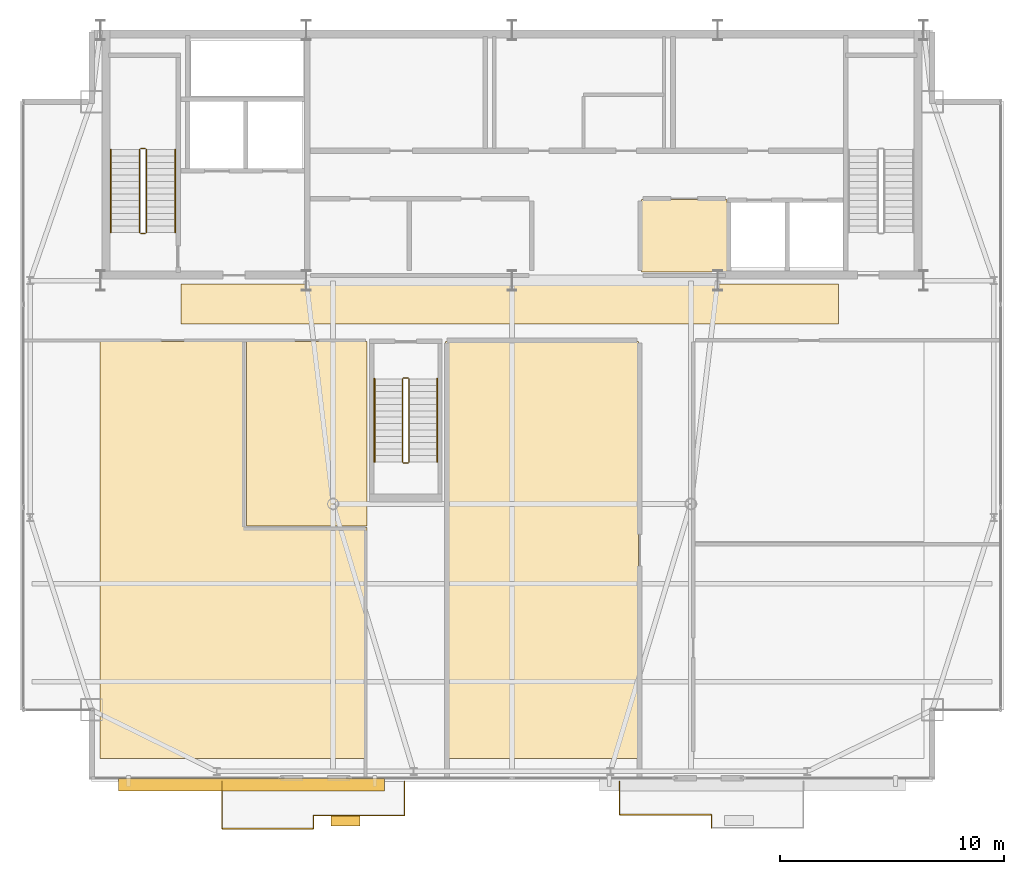
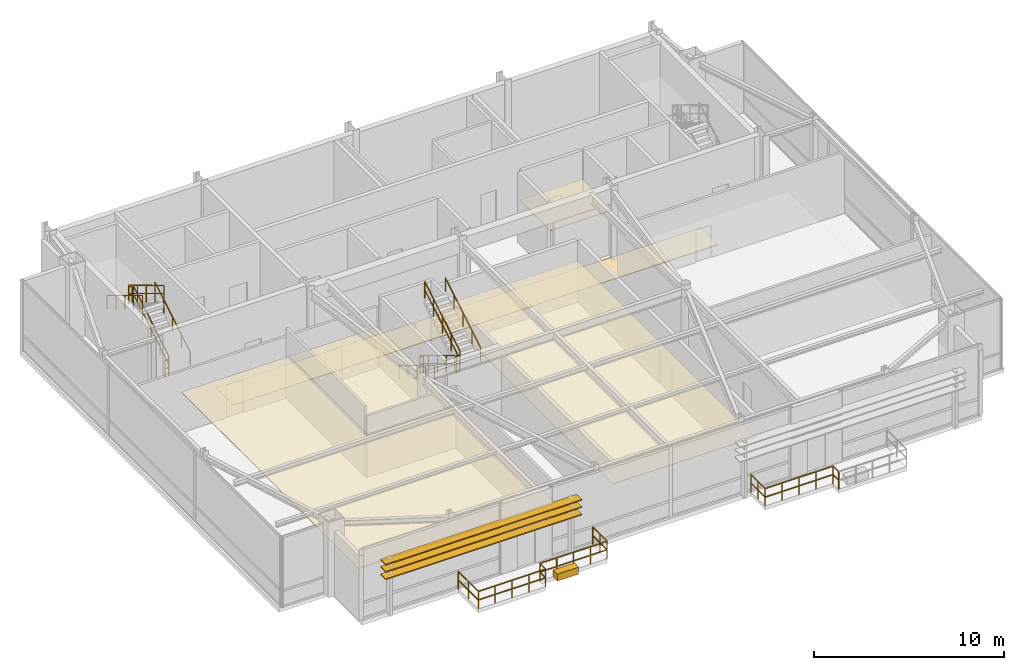
# One storey, part 21 of 22: 20 railings, 6 coverings, 3 shading devices.
"""IFC4 building model written with IfcOpenShell, lengths in metres."""

import ifcopenshell
import ifcopenshell.guid

model = None  # the IFC model being written
_history = None  # IfcOwnerHistory: only IFC2X3 demands one
_inside = {}  # id of a spatial element -> (the spatial element, [elements in it])
_under = {}  # id of a project, library or spatial element -> (it, [spatial elements below it])
_declared = {}  # id of a project -> (the project, [libraries it declares])
_typed = {}  # id of a type object -> (the type object, [elements of that type])
_made_of = {}  # id of a material, layer set ... -> (it, [elements and type objects made of it])


def new_model(schema):
    """Start an empty IFC model of exactly this schema.

    Asked for "IFC4X3", IfcOpenShell would pick the latest addendum, in which some entities
    have other attributes; the version numbers below select the first issue.
    IFC2X3 requires an IfcOwnerHistory on every rooted entity: one is made here for all.
    """
    global model, _history
    if schema == "IFC4X3":
        model = ifcopenshell.file(schema_version=(4, 3, 0, 0))
    else:
        model = ifcopenshell.file(schema=schema)
    _inside.clear()
    _under.clear()
    _declared.clear()
    _typed.clear()
    _made_of.clear()
    _history = None
    if model.schema == "IFC2X3":
        org = make("IfcOrganization", Name="unknown")
        user = make(
            "IfcPersonAndOrganization",
            ThePerson=make("IfcPerson", FamilyName="unknown"),
            TheOrganization=org,
        )
        app = make(
            "IfcApplication",
            ApplicationDeveloper=org,
            Version="unknown",
            ApplicationFullName="unknown",
            ApplicationIdentifier="unknown",
        )
        _history = make(
            "IfcOwnerHistory",
            OwningUser=user,
            OwningApplication=app,
            ChangeAction="ADDED",
            CreationDate=0,
        )
    return model


def make(cls, **values):
    """One entity of the class cls with the attributes given. An attribute that is None is left unset."""
    return model.create_entity(
        cls, **{name: value for name, value in values.items() if value is not None}
    )


def rooted(cls, **values):
    """An entity with a GlobalId (a new one), such as an element, a storey or a relation."""
    return make(cls, GlobalId=ifcopenshell.guid.new(), OwnerHistory=_history, **values)


def si_unit(unit_type, name, prefix=None):
    """IfcSIUnit, for example si_unit("LENGTHUNIT", "METRE", prefix="MILLI")."""
    return make("IfcSIUnit", UnitType=unit_type, Prefix=prefix, Name=name)


def assignment(units):
    """IfcUnitAssignment: the units of a project."""
    return None if units is None else make("IfcUnitAssignment", Units=units)


def point(xyz):
    """IfcCartesianPoint."""
    return None if xyz is None else make("IfcCartesianPoint", Coordinates=xyz)


def direction(xyz):
    """IfcDirection."""
    return None if xyz is None else make("IfcDirection", DirectionRatios=xyz)


def frame(location, z_axis=None, x_axis=None):
    """IfcAxis2Placement3D, a coordinate frame: its origin and axes. An axis left out is left unset."""
    return make(
        "IfcAxis2Placement3D",
        Location=point(location),
        Axis=direction(z_axis),
        RefDirection=direction(x_axis),
    )


def frame_2d(location, x_axis=None):
    """IfcAxis2Placement2D, a coordinate frame in the plane: its origin and x axis."""
    return make(
        "IfcAxis2Placement2D", Location=point(location), RefDirection=direction(x_axis)
    )


def origin():
    """The frame at (0, 0, 0) with its axes left unset."""
    return frame((0.0, 0.0, 0.0))


def origin_2d():
    """The frame at (0, 0) in the plane with its x axis left unset."""
    return frame_2d((0.0, 0.0))


def place(relative_to, where):
    """IfcLocalPlacement: puts the frame where relative to a parent placement (None: the world)."""
    return make(
        "IfcLocalPlacement", PlacementRelTo=relative_to, RelativePlacement=where
    )


def context(
    kind, dimensions, precision=None, world=None, true_north=None, identifier=None
):
    """IfcGeometricRepresentationContext, for example the 3D "Model" context."""
    return make(
        "IfcGeometricRepresentationContext",
        ContextIdentifier=identifier,
        ContextType=kind,
        CoordinateSpaceDimension=dimensions,
        Precision=precision,
        WorldCoordinateSystem=world,
        TrueNorth=true_north,
    )


def subcontext(parent, identifier, kind, view, scale=None):
    """IfcGeometricRepresentationSubContext, for example "Body" below "Model"."""
    return make(
        "IfcGeometricRepresentationSubContext",
        ContextIdentifier=identifier,
        ContextType=kind,
        ParentContext=parent,
        TargetScale=scale,
        TargetView=view,
    )


def project(units=None, contexts=None):
    """IfcProject with its units and contexts."""
    return rooted(
        "IfcProject",
        Name="project",
        RepresentationContexts=contexts,
        UnitsInContext=assignment(units),
    )


def spatial(cls, under=None, at=None, **own):
    """A site, building, storey or space (cls), placed at a placement, below another one or the project."""
    s = rooted(cls, ObjectPlacement=at, **own)
    if under is not None:
        _under.setdefault(under.id(), (under, []))[1].append(s)
    return s


def polyline(points):
    """IfcPolyline through the points."""
    return make("IfcPolyline", Points=[point(p) for p in points])


def profile(cls, at=None, kind="AREA", **sizes):
    """A parametric profile (cls). Its sizes go by their IFC names, for example OverallWidth=200.0."""
    return make(cls, ProfileType=kind, Position=at, **sizes)


def rectangle(**sizes):
    """IfcRectangleProfileDef."""
    return profile("IfcRectangleProfileDef", **sizes)


def outline(outer, holes=None, kind="AREA"):
    """IfcArbitraryClosedProfileDef: a profile drawn as a closed curve; with holes, ...WithVoids."""
    if holes is None:
        return make("IfcArbitraryClosedProfileDef", ProfileType=kind, OuterCurve=outer)
    return make(
        "IfcArbitraryProfileDefWithVoids",
        ProfileType=kind,
        OuterCurve=outer,
        InnerCurves=holes,
    )


def extrude(swept, where, along, depth):
    """IfcExtrudedAreaSolid: the profile swept, set in the frame where, extruded along a direction by depth."""
    return make(
        "IfcExtrudedAreaSolid",
        SweptArea=swept,
        Position=where,
        ExtrudedDirection=direction(along),
        Depth=depth,
    )


def shape(context_of_items, identifier, shape_type, items):
    """IfcShapeRepresentation: the items that make up one representation, for example the "Body"."""
    return make(
        "IfcShapeRepresentation",
        ContextOfItems=context_of_items,
        RepresentationIdentifier=identifier,
        RepresentationType=shape_type,
        Items=items,
    )


def source(mapping_origin, context_of_items, identifier, shape_type, items):
    """IfcRepresentationMap: a shape defined once, which mapped items show again and again."""
    return make(
        "IfcRepresentationMap",
        MappingOrigin=mapping_origin,
        MappedRepresentation=shape(context_of_items, identifier, shape_type, items),
    )


def transform(
    local_origin,
    x_axis=None,
    y_axis=None,
    z_axis=None,
    scale=None,
    scale2=None,
    scale3=None,
    uniform=True,
):
    """IfcCartesianTransformationOperator3D, or its non-uniform kind. x_axis, y_axis, z_axis: its Axis1, 2, 3."""
    if uniform:
        return make(
            "IfcCartesianTransformationOperator3D",
            Axis1=direction(x_axis),
            Axis2=direction(y_axis),
            LocalOrigin=point(local_origin),
            Scale=scale,
            Axis3=direction(z_axis),
        )
    return make(
        "IfcCartesianTransformationOperator3DnonUniform",
        Axis1=direction(x_axis),
        Axis2=direction(y_axis),
        LocalOrigin=point(local_origin),
        Scale=scale,
        Axis3=direction(z_axis),
        Scale2=scale2,
        Scale3=scale3,
    )


def mapped(mapping_source, mapping_target):
    """IfcMappedItem: shows the shape of a source again, moved by a transform."""
    return make(
        "IfcMappedItem", MappingSource=mapping_source, MappingTarget=mapping_target
    )


def material(Name=None, Category=None):
    """IfcMaterial."""
    return make("IfcMaterial", Name=Name, Category=Category)


def layer(
    of_material, thickness, ventilated=None, Name=None, Category=None, Priority=None
):
    """IfcMaterialLayer: one layer of a wall or slab, of a material (None: an air gap)."""
    return make(
        "IfcMaterialLayer",
        Material=of_material,
        LayerThickness=thickness,
        IsVentilated=ventilated,
        Name=Name,
        Category=Category,
        Priority=Priority,
    )


def layer_set(layers, Name=None):
    """IfcMaterialLayerSet."""
    return make("IfcMaterialLayerSet", MaterialLayers=layers, LayerSetName=Name)


def made_of(thing, what):
    """Note that an element or type object is made of a material, layer set ...; save() writes the relation."""
    if what is not None:
        _made_of.setdefault(what.id(), (what, []))[1].append(thing)
    return thing


def type_object(cls, material=None, **own):
    """A type object (cls), such as IfcWallType, which elements share."""
    return made_of(rooted(cls, **own), material)


def type_shapes(of_type, sources):
    """Give a type object the sources (RepresentationMaps) that its elements show as mapped items."""
    of_type.RepresentationMaps = sources


def element(
    cls,
    number,
    at=None,
    inside=None,
    cuts=None,
    type_object=None,
    material=None,
    context=None,
    identifier="Body",
    shape_type=None,
    held_by="IfcProductDefinitionShape",
    body=None,
    shapes=None,
    **own,
):
    """One element of the class cls, such as IfcWall. Its Tag is "e" and its number.

    at: its placement. inside: the storey or other place that contains it. cuts: it is an
    opening in that element (IfcRelVoidsElement). A single representation is given by context,
    identifier, shape_type and body (its items); several are given by shapes. held_by: the class
    of the entity that holds the representations. save() writes the other relations.
    """
    e = rooted(cls, Tag="e%d" % number, ObjectPlacement=at, **own)
    if body is not None:
        shapes = [shape(context, identifier, shape_type, body)]
    if shapes is not None:
        e.Representation = make(held_by, Representations=shapes)
    if inside is not None:
        _inside.setdefault(inside.id(), (inside, []))[1].append(e)
    if cuts is not None:
        rooted(
            "IfcRelVoidsElement", RelatingBuildingElement=cuts, RelatedOpeningElement=e
        )
    if type_object is not None:
        _typed.setdefault(type_object.id(), (type_object, []))[1].append(e)
    return made_of(e, material)


def aggregate(whole, parts):
    """IfcRelAggregates: a whole, such as a stair, and the parts it consists of."""
    return rooted("IfcRelAggregates", RelatingObject=whole, RelatedObjects=parts)


def save(model, path):
    """Write the relations noted so far, then the file.

    IfcRelAggregates (storeys below a building ...), IfcRelContainedInSpatialStructure (elements
    in a storey), IfcRelDefinesByType, IfcRelAssociatesMaterial and IfcRelDeclares: one each for
    every whole, place, type object, material and project.
    """
    for whole, parts in _under.values():
        aggregate(whole, parts)
    for where, things in _inside.values():
        rooted(
            "IfcRelContainedInSpatialStructure",
            RelatedElements=things,
            RelatingStructure=where,
        )
    for kind, things in _typed.values():
        rooted("IfcRelDefinesByType", RelatedObjects=things, RelatingType=kind)
    for what, things in _made_of.values():
        rooted("IfcRelAssociatesMaterial", RelatedObjects=things, RelatingMaterial=what)
    for by, libraries in _declared.values():
        rooted("IfcRelDeclares", RelatingContext=by, RelatedDefinitions=libraries)
    model.write(path)


model = new_model("IFC4")

# Units and contexts
model_context = context("Model", 3, precision=1e-05, world=origin(), true_north=direction((0.0, 1.0)))
body_context = subcontext(model_context, "Body", "Model", "MODEL_VIEW")
ifc_project = project(units=[si_unit("LENGTHUNIT", "METRE"), si_unit("AREAUNIT", "SQUARE_METRE"), si_unit("VOLUMEUNIT", "CUBIC_METRE"), si_unit("PLANEANGLEUNIT", "RADIAN"), si_unit("MASSUNIT", "GRAM", prefix="KILO")], contexts=[model_context])

# Site, building, storey
site_placement = place(None, origin())
site = spatial("IfcSite", under=ifc_project, at=site_placement, CompositionType="ELEMENT")
building_placement = place(site_placement, origin())
building = spatial("IfcBuilding", under=site, at=building_placement, Name="Varnel Quay Broadcast Tower", CompositionType="ELEMENT")
storey_placement = place(building_placement, frame((0.0, 0.0, 305.0)))
storey = spatial("IfcBuildingStorey", under=building, at=storey_placement, Name="L76", CompositionType="ELEMENT", Elevation=305.0)

# Coverings
ifc_material_1 = material(Name="Micro-Perforated Acoustic Ceiling Tile")
ifc_layer_1 = layer(ifc_material_1, 0.0400390625, Name="Micro-Perforated Acoustic Ceiling Tile")
ifc_layer_set_1 = layer_set([ifc_layer_1], Name="Micro-Perforated Acoustic Ceiling Tile")
covering_type_1 = type_object("IfcCoveringType", Name="Cov_AcousticCeiling", PredefinedType="CEILING", material=ifc_layer_set_1)
covering_1_placement = place(storey_placement, frame((0.0, 0.0, 2.580078125)))
element("IfcCovering", 1, at=covering_1_placement, inside=storey, type_object=covering_type_1, Name="L76 Electrical Sub-Distribution Closet Acoustic Ceiling", PredefinedType="CEILING", context=body_context, shape_type="SweptSolid", body=[
    extrude(outline(polyline([(39.784912109375, 35.985107421875), (43.614990234375, 35.985107421875), (43.614990234375, 39.215087890625), (39.784912109375, 39.215087890625), (39.784912109375, 35.985107421875)])), origin(), (0.0, 0.0, 1.0), 0.0400390625),
])
covering_2_placement = place(storey_placement, frame((0.0, 0.0, 2.580078125)))
element("IfcCovering", 2, at=covering_2_placement, inside=storey, type_object=covering_type_1, Name="L76 Planted Sky-Garden Viewing Lounge Acoustic Ceiling", PredefinedType="CEILING", context=body_context, shape_type="SweptSolid", body=[
    extrude(outline(polyline([(15.5849609375, 14.22509765625), (27.514892578125, 14.22509765625), (27.514892578125, 24.56494140625), (22.06494140625, 24.56494140625), (22.06494140625, 32.864990234375), (15.5849609375, 32.864990234375), (15.5849609375, 14.22509765625)])), origin(), (0.0, 0.0, 1.0), 0.0400390625),
])
covering_3_placement = place(storey_placement, frame((0.0, 0.0, 2.580078125)))
element("IfcCovering", 3, at=covering_3_placement, inside=storey, type_object=covering_type_1, Name="L76 Harbour Salon Suite Acoustic Ceiling", PredefinedType="CEILING", context=body_context, shape_type="SweptSolid", body=[
    extrude(outline(polyline([(22.135009765625, 24.635009765625), (27.514892578125, 24.635009765625), (27.514892578125, 32.864990234375), (22.135009765625, 32.864990234375), (22.135009765625, 24.635009765625)])), origin(), (0.0, 0.0, 1.0), 0.0400390625),
])
covering_4_placement = place(storey_placement, frame((0.0, 0.0, 2.580078125)))
element("IfcCovering", 4, at=covering_4_placement, inside=storey, type_object=covering_type_1, Name="L76 Immersive Broadcast Screening Room Acoustic Ceiling", PredefinedType="CEILING", context=body_context, shape_type="SweptSolid", body=[
    extrude(outline(polyline([(31.034912109375, 14.22509765625), (39.6650390625, 14.22509765625), (39.6650390625, 32.864990234375), (31.034912109375, 32.864990234375), (31.034912109375, 14.22509765625)])), origin(), (0.0, 0.0, 1.0), 0.0400390625),
])
ifc_material_2 = material(Name="Polished Terrazzo & Broadcast Raised Flooring")
ifc_layer_2 = layer(ifc_material_2, 0.0400390625, Name="Polished Terrazzo & Broadcast Raised Flooring")
ifc_layer_set_2 = layer_set([ifc_layer_2], Name="Polished Terrazzo & Broadcast Raised Flooring")
covering_type_2 = type_object("IfcCoveringType", Name="Cov_TerrazzoFloor", PredefinedType="FLOORING", material=ifc_layer_set_2)
covering_5_placement = place(storey_placement, origin())
element("IfcCovering", 5, at=covering_5_placement, inside=storey, type_object=covering_type_2, Name="L76 Corridor Terrazzo Flooring", PredefinedType="FLOORING", context=body_context, shape_type="SweptSolid", body=[
    extrude(outline(polyline([(19.199951171875, 33.64990234375), (48.60009765625, 33.64990234375), (48.60009765625, 35.449951171875), (19.199951171875, 35.449951171875), (19.199951171875, 33.64990234375)])), origin(), (0.0, 0.0, 1.0), 0.0400390625),
])

# Railings
ifc_material_3 = material(Name="Anodised Bronze Aluminium 6063-T6", Category="aluminium")
railing_type_1 = type_object("IfcRailingType", Name="Rail_Balustrade1150", PredefinedType="BALUSTRADE", material=ifc_material_3)
railing_1_placement = place(storey_placement, frame((21.0400390625, 11.0869140625, 0.0)))
element("IfcRailing", 6, at=railing_1_placement, inside=storey, type_object=railing_type_1, Name="L76 Terrace 1 Guard 1", PredefinedType="BALUSTRADE", context=body_context, shape_type="SweptSolid", body=[
    extrude(rectangle(XDim=0.048095703125, YDim=0.048095703125, at=origin_2d()), frame((0.0, 0.0, 1.1259765625), z_axis=(1.0, 0.0, 0.0), x_axis=(0.0, 1.0, 0.0)), (0.0, 0.0, 1.0), 4.080078125),
    extrude(rectangle(XDim=0.048095703125, YDim=0.048095703125, at=origin_2d()), frame((0.0, 0.0, 0.574951171875), z_axis=(1.0, 0.0, 0.0), x_axis=(0.0, 1.0, 0.0)), (0.0, 0.0, 1.0), 4.080078125),
    extrude(rectangle(XDim=0.0419921875, YDim=0.0419921875, at=origin_2d()), origin(), (0.0, 0.0, 1.0), 1.101806640625),
    extrude(rectangle(XDim=0.0419921875, YDim=0.0419921875, at=origin_2d()), frame((1.02001953125, 0.0, 0.0)), (0.0, 0.0, 1.0), 1.101806640625),
    extrude(rectangle(XDim=0.0419921875, YDim=0.0419921875, at=origin_2d()), frame((2.0400390625, 0.0, 0.0)), (0.0, 0.0, 1.0), 1.101806640625),
    extrude(rectangle(XDim=0.0419921875, YDim=0.0419921875, at=origin_2d()), frame((3.06005859375, 0.0, 0.0)), (0.0, 0.0, 1.0), 1.101806640625),
    extrude(rectangle(XDim=0.0419921875, YDim=0.0419921875, at=origin_2d()), frame((4.080078125, 0.0, 0.0)), (0.0, 0.0, 1.0), 1.101806640625),
])
railing_2_placement = place(storey_placement, frame((25.1201171875, 11.0869140625, 0.0)))
element("IfcRailing", 7, at=railing_2_placement, inside=storey, type_object=railing_type_1, Name="L76 Terrace 1 Guard 2", PredefinedType="BALUSTRADE", context=body_context, shape_type="SweptSolid", body=[
    extrude(rectangle(XDim=0.048095703125, YDim=0.048095703125, at=origin_2d()), frame((0.0, 0.0, 1.1259765625), z_axis=(0.0, 1.0, 0.0), x_axis=(-1.0, 0.0, 0.0)), (0.0, 0.0, 1.0), 0.60009765625),
    extrude(rectangle(XDim=0.048095703125, YDim=0.048095703125, at=origin_2d()), frame((0.0, 0.0, 0.574951171875), z_axis=(0.0, 1.0, 0.0), x_axis=(-1.0, 0.0, 0.0)), (0.0, 0.0, 1.0), 0.60009765625),
    extrude(rectangle(XDim=0.0419921875, YDim=0.0419921875, at=origin_2d()), origin(), (0.0, 0.0, 1.0), 1.101806640625),
    extrude(rectangle(XDim=0.0419921875, YDim=0.0419921875, at=origin_2d()), frame((0.0, 0.60009765625, 0.0)), (0.0, 0.0, 1.0), 1.101806640625),
])
railing_3_placement = place(storey_placement, frame((25.1201171875, 11.68701171875, 0.0)))
element("IfcRailing", 8, at=railing_3_placement, inside=storey, type_object=railing_type_1, Name="L76 Terrace 1 Guard 3", PredefinedType="BALUSTRADE", context=body_context, shape_type="SweptSolid", body=[
    extrude(rectangle(XDim=0.048095703125, YDim=0.048095703125, at=origin_2d()), frame((0.0, 0.0, 1.1259765625), z_axis=(1.0, 0.0, 0.0), x_axis=(0.0, 1.0, 0.0)), (0.0, 0.0, 1.0), 4.079833984375),
    extrude(rectangle(XDim=0.048095703125, YDim=0.048095703125, at=origin_2d()), frame((0.0, 0.0, 0.574951171875), z_axis=(1.0, 0.0, 0.0), x_axis=(0.0, 1.0, 0.0)), (0.0, 0.0, 1.0), 4.079833984375),
    extrude(rectangle(XDim=0.0419921875, YDim=0.0419921875, at=origin_2d()), origin(), (0.0, 0.0, 1.0), 1.101806640625),
    extrude(rectangle(XDim=0.0419921875, YDim=0.0419921875, at=origin_2d()), frame((1.02001953125, 0.0, 0.0)), (0.0, 0.0, 1.0), 1.101806640625),
    extrude(rectangle(XDim=0.0419921875, YDim=0.0419921875, at=origin_2d()), frame((2.0400390625, 0.0, 0.0)), (0.0, 0.0, 1.0), 1.101806640625),
    extrude(rectangle(XDim=0.0419921875, YDim=0.0419921875, at=origin_2d()), frame((3.059814453125, 0.0, 0.0)), (0.0, 0.0, 1.0), 1.101806640625),
    extrude(rectangle(XDim=0.0419921875, YDim=0.0419921875, at=origin_2d()), frame((4.079833984375, 0.0, 0.0)), (0.0, 0.0, 1.0), 1.101806640625),
])
railing_4_placement = place(storey_placement, frame((29.199951171875, 11.68701171875, 0.0)))
element("IfcRailing", 9, at=railing_4_placement, inside=storey, type_object=railing_type_1, Name="L76 Terrace 1 Guard 4", PredefinedType="BALUSTRADE", context=body_context, shape_type="SweptSolid", body=[
    extrude(rectangle(XDim=0.048095703125, YDim=0.048095703125, at=origin_2d()), frame((0.0, 0.0, 1.1259765625), z_axis=(0.0, 1.0, 0.0), x_axis=(-1.0, 0.0, 0.0)), (0.0, 0.0, 1.0), 1.512939453125),
    extrude(rectangle(XDim=0.048095703125, YDim=0.048095703125, at=origin_2d()), frame((0.0, 0.0, 0.574951171875), z_axis=(0.0, 1.0, 0.0), x_axis=(-1.0, 0.0, 0.0)), (0.0, 0.0, 1.0), 1.512939453125),
    extrude(rectangle(XDim=0.0419921875, YDim=0.0419921875, at=origin_2d()), origin(), (0.0, 0.0, 1.0), 1.101806640625),
    extrude(rectangle(XDim=0.0419921875, YDim=0.0419921875, at=origin_2d()), frame((0.0, 0.75634765625, 0.0)), (0.0, 0.0, 1.0), 1.101806640625),
    extrude(rectangle(XDim=0.0419921875, YDim=0.0419921875, at=origin_2d()), frame((0.0, 1.512939453125, 0.0)), (0.0, 0.0, 1.0), 1.101806640625),
])
railing_5_placement = place(storey_placement, frame((21.0400390625, 13.199951171875, 0.0)))
element("IfcRailing", 10, at=railing_5_placement, inside=storey, type_object=railing_type_1, Name="L76 Terrace 1 Guard 6", PredefinedType="BALUSTRADE", context=body_context, shape_type="SweptSolid", body=[
    extrude(rectangle(XDim=0.048095703125, YDim=0.048095703125, at=origin_2d()), frame((0.0, 0.0, 1.1259765625), z_axis=(0.0, -1.0, 0.0), x_axis=(1.0, 0.0, 0.0)), (0.0, 0.0, 1.0), 2.113037109375),
    extrude(rectangle(XDim=0.048095703125, YDim=0.048095703125, at=origin_2d()), frame((0.0, 0.0, 0.574951171875), z_axis=(0.0, -1.0, 0.0), x_axis=(1.0, 0.0, 0.0)), (0.0, 0.0, 1.0), 2.113037109375),
    extrude(rectangle(XDim=0.0419921875, YDim=0.0419921875, at=origin_2d()), origin(), (0.0, 0.0, 1.0), 1.101806640625),
    extrude(rectangle(XDim=0.0419921875, YDim=0.0419921875, at=origin_2d()), frame((0.0, -1.056640625, 0.0)), (0.0, 0.0, 1.0), 1.101806640625),
    extrude(rectangle(XDim=0.0419921875, YDim=0.0419921875, at=origin_2d()), frame((0.0, -2.113037109375, 0.0)), (0.0, 0.0, 1.0), 1.101806640625),
])
railing_6_placement = place(storey_placement, frame((38.800048828125, 11.712890625, 0.0)))
element("IfcRailing", 11, at=railing_6_placement, inside=storey, type_object=railing_type_1, Name="L76 Terrace 2 Guard 1", PredefinedType="BALUSTRADE", context=body_context, shape_type="SweptSolid", body=[
    extrude(rectangle(XDim=0.048095703125, YDim=0.048095703125, at=origin_2d()), frame((0.0, 0.0, 1.1259765625), z_axis=(1.0, 0.0, 0.0), x_axis=(0.0, 1.0, 0.0)), (0.0, 0.0, 1.0), 4.119873046875),
    extrude(rectangle(XDim=0.048095703125, YDim=0.048095703125, at=origin_2d()), frame((0.0, 0.0, 0.574951171875), z_axis=(1.0, 0.0, 0.0), x_axis=(0.0, 1.0, 0.0)), (0.0, 0.0, 1.0), 4.119873046875),
    extrude(rectangle(XDim=0.0419921875, YDim=0.0419921875, at=origin_2d()), origin(), (0.0, 0.0, 1.0), 1.101806640625),
    extrude(rectangle(XDim=0.0419921875, YDim=0.0419921875, at=origin_2d()), frame((1.030029296875, 0.0, 0.0)), (0.0, 0.0, 1.0), 1.101806640625),
    extrude(rectangle(XDim=0.0419921875, YDim=0.0419921875, at=origin_2d()), frame((2.06005859375, 0.0, 0.0)), (0.0, 0.0, 1.0), 1.101806640625),
    extrude(rectangle(XDim=0.0419921875, YDim=0.0419921875, at=origin_2d()), frame((3.08984375, 0.0, 0.0)), (0.0, 0.0, 1.0), 1.101806640625),
    extrude(rectangle(XDim=0.0419921875, YDim=0.0419921875, at=origin_2d()), frame((4.119873046875, 0.0, 0.0)), (0.0, 0.0, 1.0), 1.101806640625),
])
railing_7_placement = place(storey_placement, frame((42.919921875, 11.712890625, 0.0)))
element("IfcRailing", 12, at=railing_7_placement, inside=storey, type_object=railing_type_1, Name="L76 Terrace 2 Guard 2", PredefinedType="BALUSTRADE", context=body_context, shape_type="SweptSolid", body=[
    extrude(rectangle(XDim=0.048095703125, YDim=0.048095703125, at=origin_2d()), frame((0.0, 0.0, 1.1259765625), z_axis=(0.0, -1.0, 0.0), x_axis=(1.0, 0.0, 0.0)), (0.0, 0.0, 1.0), 0.599853515625),
    extrude(rectangle(XDim=0.048095703125, YDim=0.048095703125, at=origin_2d()), frame((0.0, 0.0, 0.574951171875), z_axis=(0.0, -1.0, 0.0), x_axis=(1.0, 0.0, 0.0)), (0.0, 0.0, 1.0), 0.599853515625),
    extrude(rectangle(XDim=0.0419921875, YDim=0.0419921875, at=origin_2d()), origin(), (0.0, 0.0, 1.0), 1.101806640625),
    extrude(rectangle(XDim=0.0419921875, YDim=0.0419921875, at=origin_2d()), frame((0.0, -0.599853515625, 0.0)), (0.0, 0.0, 1.0), 1.101806640625),
])
railing_8_placement = place(storey_placement, frame((38.800048828125, 13.199951171875, 0.0)))
element("IfcRailing", 13, at=railing_8_placement, inside=storey, type_object=railing_type_1, Name="L76 Terrace 2 Guard 6", PredefinedType="BALUSTRADE", context=body_context, shape_type="SweptSolid", body=[
    extrude(rectangle(XDim=0.048095703125, YDim=0.048095703125, at=origin_2d()), frame((0.0, 0.0, 1.1259765625), z_axis=(0.0, -1.0, 0.0), x_axis=(1.0, 0.0, 0.0)), (0.0, 0.0, 1.0), 1.487060546875),
    extrude(rectangle(XDim=0.048095703125, YDim=0.048095703125, at=origin_2d()), frame((0.0, 0.0, 0.574951171875), z_axis=(0.0, -1.0, 0.0), x_axis=(1.0, 0.0, 0.0)), (0.0, 0.0, 1.0), 1.487060546875),
    extrude(rectangle(XDim=0.0419921875, YDim=0.0419921875, at=origin_2d()), origin(), (0.0, 0.0, 1.0), 1.101806640625),
    extrude(rectangle(XDim=0.0419921875, YDim=0.0419921875, at=origin_2d()), frame((0.0, -0.74365234375, 0.0)), (0.0, 0.0, 1.0), 1.101806640625),
    extrude(rectangle(XDim=0.0419921875, YDim=0.0419921875, at=origin_2d()), frame((0.0, -1.487060546875, 0.0)), (0.0, 0.0, 1.0), 1.101806640625),
])
ifc_material_4 = material(Name="Painted Steel Guard and Handrail CSA G40.21 350W", Category="steel")
railing_type_2 = type_object("IfcRailingType", Name="Rail_StairGuard1100", PredefinedType="GUARDRAIL", material=ifc_material_4)
railing_9_placement = place(storey_placement, frame((17.64990234375, 37.75, 0.17138671875)))
element("IfcRailing", 14, at=railing_9_placement, inside=storey, type_object=railing_type_2, Name="L76 ST-01 stair guard 1", PredefinedType="GUARDRAIL", context=body_context, shape_type="SweptSolid", body=[
    extrude(rectangle(XDim=0.048095703125, YDim=0.048095703125, at=origin_2d()), frame((0.0, 0.0, 1.076171875), z_axis=(0.0, 0.856934400257, 0.515425487977), x_axis=(-1.0, 0.0, 0.0)), (0.0, 0.0, 1.0), 4.32373046875),
    extrude(rectangle(XDim=0.048095703125, YDim=0.048095703125, at=origin_2d()), frame((0.0, 0.0, 0.550048828125), z_axis=(0.0, 0.856934400257, 0.515425487977), x_axis=(-1.0, 0.0, 0.0)), (0.0, 0.0, 1.0), 4.32373046875),
    extrude(rectangle(XDim=0.0419921875, YDim=0.0419921875, at=origin_2d()), origin(), (0.0, 0.0, 1.0), 1.052001953125),
    extrude(rectangle(XDim=0.0419921875, YDim=0.0419921875, at=origin_2d()), frame((0.0, 0.92626953125, 0.55712890625)), (0.0, 0.0, 1.0), 1.052001953125),
    extrude(rectangle(XDim=0.0419921875, YDim=0.0419921875, at=origin_2d()), frame((0.0, 1.8525390625, 1.1142578125)), (0.0, 0.0, 1.0), 1.052001953125),
    extrude(rectangle(XDim=0.0419921875, YDim=0.0419921875, at=origin_2d()), frame((0.0, 2.77880859375, 1.67138671875)), (0.0, 0.0, 1.0), 1.052001953125),
    extrude(rectangle(XDim=0.0419921875, YDim=0.0419921875, at=origin_2d()), frame((0.0, 3.705078125, 2.228515625)), (0.0, 0.0, 1.0), 1.052001953125),
])
railing_10_placement = place(storey_placement, frame((17.60009765625, 41.5048828125, 2.39990234375)))
element("IfcRailing", 15, at=railing_10_placement, inside=storey, type_object=railing_type_2, Name="L76 ST-01 stair guard 2", PredefinedType="GUARDRAIL", context=body_context, shape_type="SweptSolid", body=[
    extrude(rectangle(XDim=0.048095703125, YDim=0.048095703125, at=origin_2d()), frame((0.0, 0.0, 1.076171875), z_axis=(-1.0, 0.0, 0.0), x_axis=(0.0, -1.0, 0.0)), (0.0, 0.0, 1.0), 0.2001953125),
    extrude(rectangle(XDim=0.048095703125, YDim=0.048095703125, at=origin_2d()), frame((0.0, 0.0, 0.550048828125), z_axis=(-1.0, 0.0, 0.0), x_axis=(0.0, -1.0, 0.0)), (0.0, 0.0, 1.0), 0.2001953125),
    extrude(rectangle(XDim=0.0419921875, YDim=0.0419921875, at=origin_2d()), origin(), (0.0, 0.0, 1.0), 1.052001953125),
    extrude(rectangle(XDim=0.0419921875, YDim=0.0419921875, at=origin_2d()), frame((-0.2001953125, 0.0, 0.0)), (0.0, 0.0, 1.0), 1.052001953125),
])
railing_11_placement = place(storey_placement, frame((17.35009765625, 41.455078125, 2.571533203125)))
element("IfcRailing", 16, at=railing_11_placement, inside=storey, type_object=railing_type_2, Name="L76 ST-01 stair guard 3", PredefinedType="GUARDRAIL", context=body_context, shape_type="SweptSolid", body=[
    extrude(rectangle(XDim=0.048095703125, YDim=0.048095703125, at=origin_2d()), frame((0.0, 0.0, 1.076171875), z_axis=(0.0, -0.856934400257, 0.515425487977), x_axis=(1.0, 0.0, 0.0)), (0.0, 0.0, 1.0), 4.32373046875),
    extrude(rectangle(XDim=0.048095703125, YDim=0.048095703125, at=origin_2d()), frame((0.0, 0.0, 0.550048828125), z_axis=(0.0, -0.856934400257, 0.515425487977), x_axis=(1.0, 0.0, 0.0)), (0.0, 0.0, 1.0), 4.32373046875),
    extrude(rectangle(XDim=0.0419921875, YDim=0.0419921875, at=origin_2d()), origin(), (0.0, 0.0, 1.0), 1.052001953125),
    extrude(rectangle(XDim=0.0419921875, YDim=0.0419921875, at=origin_2d()), frame((0.0, -0.92626953125, 0.55712890625)), (0.0, 0.0, 1.0), 1.052001953125),
    extrude(rectangle(XDim=0.0419921875, YDim=0.0419921875, at=origin_2d()), frame((0.0, -1.8525390625, 1.1142578125)), (0.0, 0.0, 1.0), 1.052001953125),
    extrude(rectangle(XDim=0.0419921875, YDim=0.0419921875, at=origin_2d()), frame((0.0, -2.77880859375, 1.67138671875)), (0.0, 0.0, 1.0), 1.052001953125),
    extrude(rectangle(XDim=0.0419921875, YDim=0.0419921875, at=origin_2d()), frame((0.0, -3.705078125, 2.228515625)), (0.0, 0.0, 1.0), 1.052001953125),
])
railing_12_placement = place(storey_placement, frame((17.60009765625, 37.699951171875, 0.0)))
element("IfcRailing", 17, at=railing_12_placement, inside=storey, type_object=railing_type_2, Name="L76 ST-01 stair guard 4", PredefinedType="GUARDRAIL", context=body_context, shape_type="SweptSolid", body=[
    extrude(rectangle(XDim=0.048095703125, YDim=0.048095703125, at=origin_2d()), frame((0.0, 0.0, 1.076171875), z_axis=(-1.0, 0.0, 0.0), x_axis=(0.0, -1.0, 0.0)), (0.0, 0.0, 1.0), 0.2001953125),
    extrude(rectangle(XDim=0.048095703125, YDim=0.048095703125, at=origin_2d()), frame((0.0, 0.0, 0.550048828125), z_axis=(-1.0, 0.0, 0.0), x_axis=(0.0, -1.0, 0.0)), (0.0, 0.0, 1.0), 0.2001953125),
    extrude(rectangle(XDim=0.0419921875, YDim=0.0419921875, at=origin_2d()), origin(), (0.0, 0.0, 1.0), 1.052001953125),
    extrude(rectangle(XDim=0.0419921875, YDim=0.0419921875, at=origin_2d()), frame((-0.2001953125, 0.0, 0.0)), (0.0, 0.0, 1.0), 1.052001953125),
])
railing_13_placement = place(storey_placement, frame((29.10009765625, 31.199951171875, 0.17138671875)))
element("IfcRailing", 18, at=railing_13_placement, inside=storey, type_object=railing_type_2, Name="L76 ST-04 stair guard 1", PredefinedType="GUARDRAIL", context=body_context, shape_type="SweptSolid", body=[
    extrude(rectangle(XDim=0.048095703125, YDim=0.048095703125, at=origin_2d()), frame((0.0, 0.0, 1.076171875), z_axis=(0.0, -0.856919398105, 0.515450429384), x_axis=(1.0, 0.0, 0.0)), (0.0, 0.0, 1.0), 4.323486328125),
    extrude(rectangle(XDim=0.048095703125, YDim=0.048095703125, at=origin_2d()), frame((0.0, 0.0, 0.550048828125), z_axis=(0.0, -0.856919398105, 0.515450429384), x_axis=(1.0, 0.0, 0.0)), (0.0, 0.0, 1.0), 4.323486328125),
    extrude(rectangle(XDim=0.0419921875, YDim=0.0419921875, at=origin_2d()), origin(), (0.0, 0.0, 1.0), 1.052001953125),
    extrude(rectangle(XDim=0.0419921875, YDim=0.0419921875, at=origin_2d()), frame((0.0, -0.92626953125, 0.55712890625)), (0.0, 0.0, 1.0), 1.052001953125),
    extrude(rectangle(XDim=0.0419921875, YDim=0.0419921875, at=origin_2d()), frame((0.0, -1.8525390625, 1.1142578125)), (0.0, 0.0, 1.0), 1.052001953125),
    extrude(rectangle(XDim=0.0419921875, YDim=0.0419921875, at=origin_2d()), frame((0.0, -2.778564453125, 1.67138671875)), (0.0, 0.0, 1.0), 1.052001953125),
    extrude(rectangle(XDim=0.0419921875, YDim=0.0419921875, at=origin_2d()), frame((0.0, -3.704833984375, 2.228515625)), (0.0, 0.0, 1.0), 1.052001953125),
])
railing_14_placement = place(storey_placement, frame((29.14990234375, 27.445068359375, 2.39990234375)))
element("IfcRailing", 19, at=railing_14_placement, inside=storey, type_object=railing_type_2, Name="L76 ST-04 stair guard 2", PredefinedType="GUARDRAIL", context=body_context, shape_type="SweptSolid", body=[
    extrude(rectangle(XDim=0.048095703125, YDim=0.048095703125, at=origin_2d()), frame((0.0, 0.0, 1.076171875), z_axis=(1.0, 0.0, 0.0), x_axis=(0.0, 1.0, 0.0)), (0.0, 0.0, 1.0), 0.2001953125),
    extrude(rectangle(XDim=0.048095703125, YDim=0.048095703125, at=origin_2d()), frame((0.0, 0.0, 0.550048828125), z_axis=(1.0, 0.0, 0.0), x_axis=(0.0, 1.0, 0.0)), (0.0, 0.0, 1.0), 0.2001953125),
    extrude(rectangle(XDim=0.0419921875, YDim=0.0419921875, at=origin_2d()), origin(), (0.0, 0.0, 1.0), 1.052001953125),
    extrude(rectangle(XDim=0.0419921875, YDim=0.0419921875, at=origin_2d()), frame((0.2001953125, 0.0, 0.0)), (0.0, 0.0, 1.0), 1.052001953125),
])
railing_15_placement = place(storey_placement, frame((29.39990234375, 27.4951171875, 2.571533203125)))
element("IfcRailing", 20, at=railing_15_placement, inside=storey, type_object=railing_type_2, Name="L76 ST-04 stair guard 3", PredefinedType="GUARDRAIL", context=body_context, shape_type="SweptSolid", body=[
    extrude(rectangle(XDim=0.048095703125, YDim=0.048095703125, at=origin_2d()), frame((0.0, 0.0, 1.076171875), z_axis=(0.0, 0.856919398105, 0.515450429384), x_axis=(-1.0, 0.0, 0.0)), (0.0, 0.0, 1.0), 4.323486328125),
    extrude(rectangle(XDim=0.048095703125, YDim=0.048095703125, at=origin_2d()), frame((0.0, 0.0, 0.550048828125), z_axis=(0.0, 0.856919398105, 0.515450429384), x_axis=(-1.0, 0.0, 0.0)), (0.0, 0.0, 1.0), 4.323486328125),
    extrude(rectangle(XDim=0.0419921875, YDim=0.0419921875, at=origin_2d()), origin(), (0.0, 0.0, 1.0), 1.052001953125),
    extrude(rectangle(XDim=0.0419921875, YDim=0.0419921875, at=origin_2d()), frame((0.0, 0.92626953125, 0.55712890625)), (0.0, 0.0, 1.0), 1.052001953125),
    extrude(rectangle(XDim=0.0419921875, YDim=0.0419921875, at=origin_2d()), frame((0.0, 1.8525390625, 1.1142578125)), (0.0, 0.0, 1.0), 1.052001953125),
    extrude(rectangle(XDim=0.0419921875, YDim=0.0419921875, at=origin_2d()), frame((0.0, 2.778564453125, 1.67138671875)), (0.0, 0.0, 1.0), 1.052001953125),
    extrude(rectangle(XDim=0.0419921875, YDim=0.0419921875, at=origin_2d()), frame((0.0, 3.704833984375, 2.228515625)), (0.0, 0.0, 1.0), 1.052001953125),
])
railing_16_placement = place(storey_placement, frame((29.14990234375, 31.25, 0.0)))
element("IfcRailing", 21, at=railing_16_placement, inside=storey, type_object=railing_type_2, Name="L76 ST-04 stair guard 4", PredefinedType="GUARDRAIL", context=body_context, shape_type="SweptSolid", body=[
    extrude(rectangle(XDim=0.048095703125, YDim=0.048095703125, at=origin_2d()), frame((0.0, 0.0, 1.076171875), z_axis=(1.0, 0.0, 0.0), x_axis=(0.0, 1.0, 0.0)), (0.0, 0.0, 1.0), 0.2001953125),
    extrude(rectangle(XDim=0.048095703125, YDim=0.048095703125, at=origin_2d()), frame((0.0, 0.0, 0.550048828125), z_axis=(1.0, 0.0, 0.0), x_axis=(0.0, 1.0, 0.0)), (0.0, 0.0, 1.0), 0.2001953125),
    extrude(rectangle(XDim=0.0419921875, YDim=0.0419921875, at=origin_2d()), origin(), (0.0, 0.0, 1.0), 1.052001953125),
    extrude(rectangle(XDim=0.0419921875, YDim=0.0419921875, at=origin_2d()), frame((0.2001953125, 0.0, 0.0)), (0.0, 0.0, 1.0), 1.052001953125),
])
railing_type_3 = type_object("IfcRailingType", Name="Rail_StairHandrail900", PredefinedType="HANDRAIL", material=ifc_material_4)
railing_17_placement = place(storey_placement, frame((18.949951171875, 37.75, 0.17138671875)))
element("IfcRailing", 22, at=railing_17_placement, inside=storey, type_object=railing_type_3, Name="L76 ST-01 stair handrail 1", PredefinedType="HANDRAIL", context=body_context, shape_type="SweptSolid", body=[
    extrude(rectangle(XDim=0.048095703125, YDim=0.048095703125, at=origin_2d()), frame((0.0, 0.0, 0.8759765625), z_axis=(0.0, 0.856934400257, 0.515425487977), x_axis=(-1.0, 0.0, 0.0)), (0.0, 0.0, 1.0), 4.32373046875),
    extrude(rectangle(XDim=0.0419921875, YDim=0.0419921875, at=origin_2d()), origin(), (0.0, 0.0, 1.0), 0.851806640625),
    extrude(rectangle(XDim=0.0419921875, YDim=0.0419921875, at=origin_2d()), frame((0.0, 0.92626953125, 0.55712890625)), (0.0, 0.0, 1.0), 0.851806640625),
    extrude(rectangle(XDim=0.0419921875, YDim=0.0419921875, at=origin_2d()), frame((0.0, 1.8525390625, 1.1142578125)), (0.0, 0.0, 1.0), 0.851806640625),
    extrude(rectangle(XDim=0.0419921875, YDim=0.0419921875, at=origin_2d()), frame((0.0, 2.77880859375, 1.67138671875)), (0.0, 0.0, 1.0), 0.851806640625),
    extrude(rectangle(XDim=0.0419921875, YDim=0.0419921875, at=origin_2d()), frame((0.0, 3.705078125, 2.228515625)), (0.0, 0.0, 1.0), 0.851806640625),
])
railing_18_placement = place(storey_placement, frame((16.050048828125, 41.455078125, 2.571533203125)))
element("IfcRailing", 23, at=railing_18_placement, inside=storey, type_object=railing_type_3, Name="L76 ST-01 stair handrail 2", PredefinedType="HANDRAIL", context=body_context, shape_type="SweptSolid", body=[
    extrude(rectangle(XDim=0.048095703125, YDim=0.048095703125, at=origin_2d()), frame((0.0, 0.0, 0.8759765625), z_axis=(0.0, -0.856934400257, 0.515425487977), x_axis=(1.0, 0.0, 0.0)), (0.0, 0.0, 1.0), 4.32373046875),
    extrude(rectangle(XDim=0.0419921875, YDim=0.0419921875, at=origin_2d()), origin(), (0.0, 0.0, 1.0), 0.851806640625),
    extrude(rectangle(XDim=0.0419921875, YDim=0.0419921875, at=origin_2d()), frame((0.0, -0.92626953125, 0.55712890625)), (0.0, 0.0, 1.0), 0.851806640625),
    extrude(rectangle(XDim=0.0419921875, YDim=0.0419921875, at=origin_2d()), frame((0.0, -1.8525390625, 1.1142578125)), (0.0, 0.0, 1.0), 0.851806640625),
    extrude(rectangle(XDim=0.0419921875, YDim=0.0419921875, at=origin_2d()), frame((0.0, -2.77880859375, 1.67138671875)), (0.0, 0.0, 1.0), 0.851806640625),
    extrude(rectangle(XDim=0.0419921875, YDim=0.0419921875, at=origin_2d()), frame((0.0, -3.705078125, 2.228515625)), (0.0, 0.0, 1.0), 0.851806640625),
])
railing_19_placement = place(storey_placement, frame((27.85009765625, 31.199951171875, 0.17138671875)))
element("IfcRailing", 24, at=railing_19_placement, inside=storey, type_object=railing_type_3, Name="L76 ST-04 stair handrail 1", PredefinedType="HANDRAIL", context=body_context, shape_type="SweptSolid", body=[
    extrude(rectangle(XDim=0.048095703125, YDim=0.048095703125, at=origin_2d()), frame((0.0, 0.0, 0.8759765625), z_axis=(0.0, -0.856919398105, 0.515450429384), x_axis=(1.0, 0.0, 0.0)), (0.0, 0.0, 1.0), 4.323486328125),
    extrude(rectangle(XDim=0.0419921875, YDim=0.0419921875, at=origin_2d()), origin(), (0.0, 0.0, 1.0), 0.851806640625),
    extrude(rectangle(XDim=0.0419921875, YDim=0.0419921875, at=origin_2d()), frame((0.0, -0.92626953125, 0.55712890625)), (0.0, 0.0, 1.0), 0.851806640625),
    extrude(rectangle(XDim=0.0419921875, YDim=0.0419921875, at=origin_2d()), frame((0.0, -1.8525390625, 1.1142578125)), (0.0, 0.0, 1.0), 0.851806640625),
    extrude(rectangle(XDim=0.0419921875, YDim=0.0419921875, at=origin_2d()), frame((0.0, -2.778564453125, 1.67138671875)), (0.0, 0.0, 1.0), 0.851806640625),
    extrude(rectangle(XDim=0.0419921875, YDim=0.0419921875, at=origin_2d()), frame((0.0, -3.704833984375, 2.228515625)), (0.0, 0.0, 1.0), 0.851806640625),
])
railing_20_placement = place(storey_placement, frame((30.64990234375, 27.4951171875, 2.571533203125)))
element("IfcRailing", 25, at=railing_20_placement, inside=storey, type_object=railing_type_3, Name="L76 ST-04 stair handrail 2", PredefinedType="HANDRAIL", context=body_context, shape_type="SweptSolid", body=[
    extrude(rectangle(XDim=0.048095703125, YDim=0.048095703125, at=origin_2d()), frame((0.0, 0.0, 0.8759765625), z_axis=(0.0, 0.856919398105, 0.515450429384), x_axis=(-1.0, 0.0, 0.0)), (0.0, 0.0, 1.0), 4.323486328125),
    extrude(rectangle(XDim=0.0419921875, YDim=0.0419921875, at=origin_2d()), origin(), (0.0, 0.0, 1.0), 0.851806640625),
    extrude(rectangle(XDim=0.0419921875, YDim=0.0419921875, at=origin_2d()), frame((0.0, 0.92626953125, 0.55712890625)), (0.0, 0.0, 1.0), 0.851806640625),
    extrude(rectangle(XDim=0.0419921875, YDim=0.0419921875, at=origin_2d()), frame((0.0, 1.8525390625, 1.1142578125)), (0.0, 0.0, 1.0), 0.851806640625),
    extrude(rectangle(XDim=0.0419921875, YDim=0.0419921875, at=origin_2d()), frame((0.0, 2.778564453125, 1.67138671875)), (0.0, 0.0, 1.0), 0.851806640625),
    extrude(rectangle(XDim=0.0419921875, YDim=0.0419921875, at=origin_2d()), frame((0.0, 3.704833984375, 2.228515625)), (0.0, 0.0, 1.0), 0.851806640625),
])

# Covering
ifc_material_5 = material(Name="Bronze-Terracotta Extruded Ceramic Blade", Category="masonry")
ifc_layer_3 = layer(ifc_material_5, 0.449951171875, Name="Bronze-Terracotta Extruded Ceramic Blade")
ifc_layer_set_3 = layer_set([ifc_layer_3], Name="Bronze-Terracotta Extruded Ceramic Blade")
covering_type_3 = type_object("IfcCoveringType", Name="Cov_BronzePlanter", PredefinedType="CLADDING", material=ifc_layer_set_3)
shared_shape_1 = source(origin(), body_context, "Body", "SweptSolid", [
    extrude(rectangle(XDim=1.300048828125, YDim=0.449951171875, at=origin_2d()), origin(), (0.0, 0.0, 1.0), 0.449951171875),
])
type_shapes(covering_type_3, [shared_shape_1])
covering_6_placement = place(storey_placement, frame((26.550048828125, 11.43701171875, 0.0), z_axis=(0.0, 0.0, 1.0), x_axis=(1.0, 0.0, 0.0)))
element("IfcCovering", 26, at=covering_6_placement, inside=storey, type_object=covering_type_3, Name="L76 Terrace 1 Bronze Planter", PredefinedType="CLADDING", context=body_context, shape_type="MappedRepresentation", body=[
    mapped(shared_shape_1, transform((0.0, 0.0, 0.0), x_axis=(1.0, 0.0, 0.0), y_axis=(0.0, 1.0, 0.0), z_axis=(0.0, 0.0, 1.0), scale=1.0)),
])

# Shading devices
ifc_layer_4 = layer(ifc_material_5, 0.06494140625, Name="Bronze-Terracotta Extruded Ceramic Blade")
ifc_layer_set_4 = layer_set([ifc_layer_4], Name="Bronze-Terracotta Extruded Ceramic Blade")
shading_device_type = type_object("IfcShadingDeviceType", Name="Shade_LouvreBlade550", PredefinedType="JALOUSIE", material=ifc_layer_set_4)
shared_shape_2 = source(origin(), body_context, "Body", "SweptSolid", [
    extrude(rectangle(XDim=11.905029296875, YDim=0.550048828125, at=origin_2d()), origin(), (0.0, 0.0, 1.0), 0.06494140625),
])
type_shapes(shading_device_type, [shared_shape_2])
for number, where, z_axis, x_axis, name in (
    (27, (22.35205078125, 13.06005859375, 2.447509765625), (0.0, 0.0, 1.0), (1.0, 0.0, 0.0), "L76 Lobe 1 Horizontal Louvre Blade 1"),
    (28, (22.35205078125, 13.06005859375, 2.927490234375), (0.0, 0.0, 1.0), (1.0, 0.0, 0.0), "L76 Lobe 1 Horizontal Louvre Blade 2"),
    (29, (22.35205078125, 13.06005859375, 3.387451171875), (0.0, 0.0, 1.0), (1.0, 0.0, 0.0), "L76 Lobe 1 Horizontal Louvre Blade 3"),
):
    element("IfcShadingDevice", number, at=place(storey_placement, frame(where, z_axis=z_axis, x_axis=x_axis)), inside=storey, type_object=shading_device_type, Name=name, PredefinedType="JALOUSIE", context=body_context, shape_type="MappedRepresentation", body=[
        mapped(shared_shape_2, transform((0.0, 0.0, 0.0), x_axis=(1.0, 0.0, 0.0), y_axis=(0.0, 1.0, 0.0), z_axis=(0.0, 0.0, 1.0), scale=1.0)),
    ])

save(model, "model.ifc")
